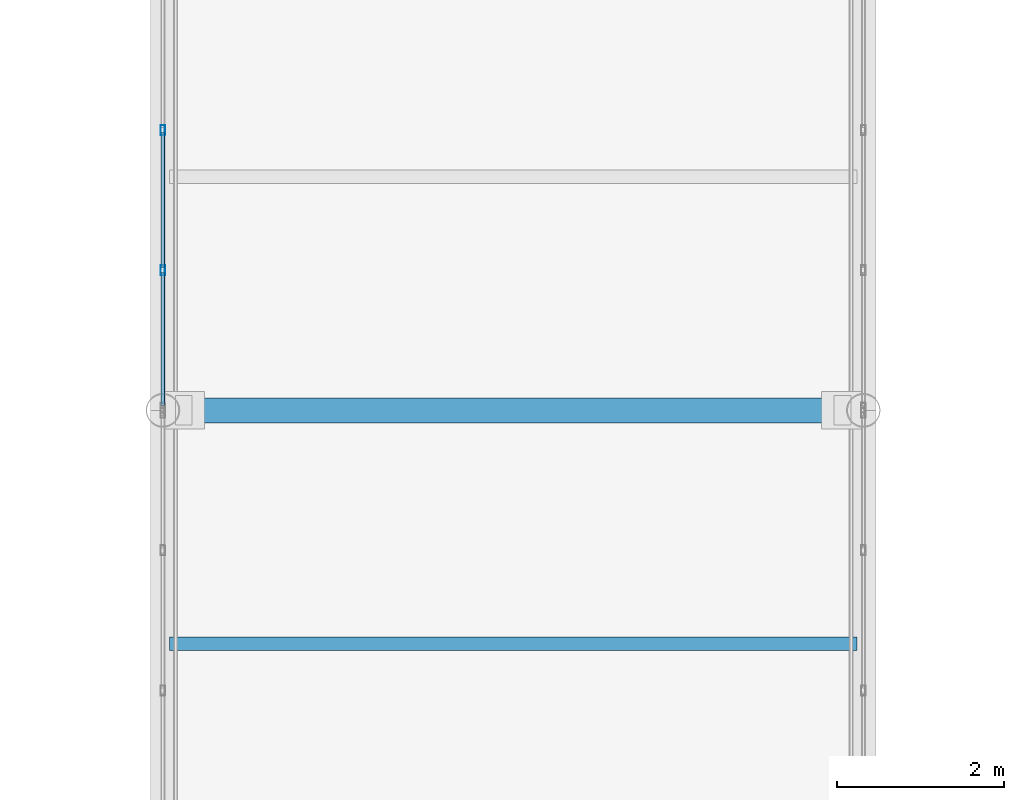
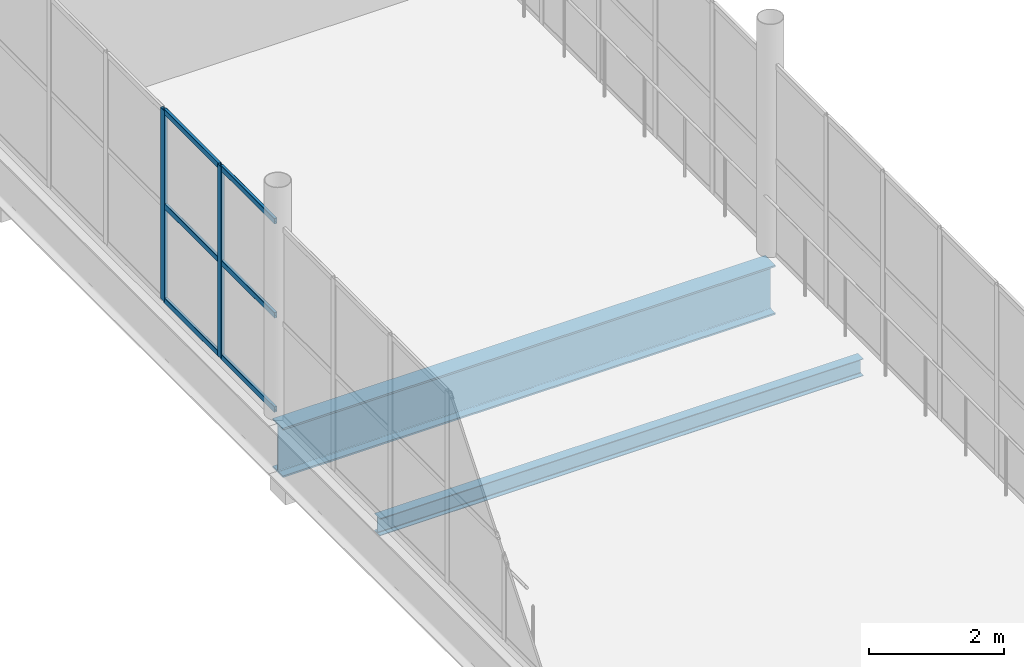
# One storey, part 55 of 163: 8 members, 2 beams, 1 element without a shape of its own.
"""IFC4 building model written with IfcOpenShell, lengths in metres."""

from ifc_helpers import new_model, si_unit, direction, frame, origin, origin_2d, place, context, subcontext, project, spatial, hollow_rectangle, i_section, extrude, material, layer, layer_set, material_profile, profile_set, type_object, element, aggregate, save


model = new_model("IFC4")

# Units and contexts
model_context = context("Model", 3, precision=1e-05, world=origin(), true_north=direction((0.0, 1.0)))
body_context = subcontext(model_context, "Body", "Model", "MODEL_VIEW")
ifc_project = project(units=[si_unit("LENGTHUNIT", "METRE"), si_unit("AREAUNIT", "SQUARE_METRE"), si_unit("VOLUMEUNIT", "CUBIC_METRE"), si_unit("PLANEANGLEUNIT", "RADIAN"), si_unit("MASSUNIT", "GRAM", prefix="KILO")], contexts=[model_context])

# Site, building, storey
site_placement = place(None, origin())
site = spatial("IfcSite", under=ifc_project, at=site_placement, CompositionType="ELEMENT")
building_placement = place(site_placement, origin())
building = spatial("IfcBuilding", under=site, at=building_placement, Name="Qalvenar Corner Mobility Hub", CompositionType="ELEMENT")
storey_placement = place(building_placement, frame((0.0, 0.0, 4.800048828125)))
storey = spatial("IfcBuildingStorey", under=building, at=storey_placement, Name="L01", CompositionType="ELEMENT", Elevation=4.800048828125)

# Beams
ifc_material_1 = material(Name="Steel S355", Category="steel")
ifc_material_profile_1 = material_profile(ifc_material_1, i_section(OverallWidth=0.300048828125, OverallDepth=0.889892578125, WebThickness=0.01611328125, FlangeThickness=0.030029296875, FilletRadius=0.027099609375, at=origin_2d()), Name="HEA900")
ifc_profile_set_1 = profile_set([ifc_material_profile_1], Name="Steel S355")
beam_type_1 = type_object("IfcBeamType", Name="BM-BRG900", PredefinedType="BEAM", material=ifc_profile_set_1)
beam_1_placement = place(storey_placement, frame((50.39990234375, 58.800048828125, -0.635009765625), z_axis=(1.0, 0.0, 0.0), x_axis=(0.0, 1.0, 0.0)))
element("IfcBeam", 1, at=beam_1_placement, inside=storey, type_object=beam_type_1, Name="Court Link Bridge Girder BRG-1524", PredefinedType="BEAM", context=body_context, shape_type="SweptSolid", body=[
    extrude(i_section(OverallWidth=0.300048828125, OverallDepth=0.889892578125, WebThickness=0.01611328125, FlangeThickness=0.030029296875, FilletRadius=0.027099609375, at=origin_2d()), origin(), (0.0, 0.0, 1.0), 8.400146484375),
])
ifc_material_profile_2 = material_profile(ifc_material_1, i_section(OverallWidth=0.1650390625, OverallDepth=0.31005859375, WebThickness=0.005859375, FlangeThickness=0.009765625, FilletRadius=0.011962890625, at=origin_2d()), Name="W310x38.7")
ifc_profile_set_2 = profile_set([ifc_material_profile_2], Name="Steel S355")
beam_type_2 = type_object("IfcBeamType", Name="BM-JST310", PredefinedType="JOIST", material=ifc_profile_set_2)
beam_2_placement = place(storey_placement, frame((50.47802734375, 56.0, -0.344970703125), z_axis=(1.0, 0.0, 0.0), x_axis=(0.0, 1.0, 0.0)))
element("IfcBeam", 2, at=beam_2_placement, inside=storey, type_object=beam_type_2, Name="Composite Floor Joist J-1538", PredefinedType="JOIST", context=body_context, shape_type="SweptSolid", body=[
    extrude(i_section(OverallWidth=0.1650390625, OverallDepth=0.31005859375, WebThickness=0.005859375, FlangeThickness=0.009765625, FilletRadius=0.011962890625, at=origin_2d()), origin(), (0.0, 0.0, 1.0), 8.243896484375),
])

# Curtain wall, members
ifc_material_2 = material(Name="Anodised Aluminium and Low-E Glazing", Category="aluminium")
ifc_layer = layer(ifc_material_2, 0.1201171875)
ifc_layer_set = layer_set([ifc_layer], Name="Anodised Aluminium and Low-E Glazing")
curtain_wall_type = type_object("IfcCurtainWallType", Name="CW-BRG-84X28", PredefinedType="NOTDEFINED", material=ifc_layer_set)
curtain_wall_placement = place(storey_placement, origin())
curtain_wall = element("IfcCurtainWall", 3, at=curtain_wall_placement, inside=storey, type_object=curtain_wall_type, Name="Glazed Curtain Wall CW-BRG-L01-W3", PredefinedType="NOTDEFINED")
ifc_material_3 = material(Name="Anodised Aluminium 6063-T6", Category="aluminium")
ifc_material_profile_3 = material_profile(ifc_material_3, hollow_rectangle(XDim=0.054931640625, YDim=0.1201171875, WallThickness=0.00341796875, InnerFilletRadius=0.00341796875, OuterFilletRadius=0.007080078125, at=origin_2d()), Name="RHS120x55x3.5")
ifc_profile_set_3 = profile_set([ifc_material_profile_3], Name="Anodised Aluminium 6063-T6")
member_type_1 = type_object("IfcMemberType", Name="CW-MUL120", PredefinedType="MULLION", material=ifc_profile_set_3)
member_1_placement = place(storey_placement, frame((50.39990234375, 62.159912109375, 0.0), z_axis=(0.0, 0.0, 1.0), x_axis=(1.0, 0.0, 0.0)))
member_1 = element("IfcMember", 4, at=member_1_placement, type_object=member_type_1, Name="CW-11 mullion 4", PredefinedType="MULLION", context=body_context, shape_type="SweptSolid", body=[
    extrude(hollow_rectangle(XDim=0.054931640625, YDim=0.1201171875, WallThickness=0.00341796875, InnerFilletRadius=0.00341796875, OuterFilletRadius=0.007080078125, at=origin_2d()), origin(), (0.0, 0.0, 1.0), 3.449951171875),
])
member_2_placement = place(storey_placement, frame((50.39990234375, 60.47998046875, 0.0), z_axis=(0.0, 0.0, 1.0), x_axis=(1.0, 0.0, 0.0)))
member_2 = element("IfcMember", 5, at=member_2_placement, type_object=member_type_1, Name="CW-11 mullion 5", PredefinedType="MULLION", context=body_context, shape_type="SweptSolid", body=[
    extrude(hollow_rectangle(XDim=0.054931640625, YDim=0.1201171875, WallThickness=0.00341796875, InnerFilletRadius=0.00341796875, OuterFilletRadius=0.007080078125, at=origin_2d()), origin(), (0.0, 0.0, 1.0), 3.449951171875),
])
ifc_material_profile_4 = material_profile(ifc_material_3, hollow_rectangle(XDim=0.050048828125, YDim=0.10009765625, WallThickness=0.0029296875, InnerFilletRadius=0.0029296875, OuterFilletRadius=0.006103515625, at=origin_2d()), Name="RHS100x50x3")
ifc_profile_set_4 = profile_set([ifc_material_profile_4], Name="Anodised Aluminium 6063-T6")
member_type_2 = type_object("IfcMemberType", Name="CW-TRN100", PredefinedType="USERDEFINED", material=ifc_profile_set_4)
member_3_placement = place(storey_placement, frame((50.39990234375, 62.1298828125, 0.02734375), z_axis=(0.0, -1.0, 0.0), x_axis=(1.0, 0.0, 0.0)))
member_3 = element("IfcMember", 6, at=member_3_placement, type_object=member_type_2, Name="CW-11 transom 4.1", ObjectType="TRANSOM", PredefinedType="USERDEFINED", context=body_context, shape_type="SweptSolid", body=[
    extrude(hollow_rectangle(XDim=0.050048828125, YDim=0.10009765625, WallThickness=0.0029296875, InnerFilletRadius=0.0029296875, OuterFilletRadius=0.006103515625, at=origin_2d()), origin(), (0.0, 0.0, 1.0), 1.619873046875),
])
member_4_placement = place(storey_placement, frame((50.39990234375, 62.1298828125, 1.724853515625), z_axis=(0.0, -1.0, 0.0), x_axis=(1.0, 0.0, 0.0)))
member_4 = element("IfcMember", 7, at=member_4_placement, type_object=member_type_2, Name="CW-11 transom 4.2", ObjectType="TRANSOM", PredefinedType="USERDEFINED", context=body_context, shape_type="SweptSolid", body=[
    extrude(hollow_rectangle(XDim=0.050048828125, YDim=0.10009765625, WallThickness=0.0029296875, InnerFilletRadius=0.0029296875, OuterFilletRadius=0.006103515625, at=origin_2d()), origin(), (0.0, 0.0, 1.0), 1.619873046875),
])
member_5_placement = place(storey_placement, frame((50.39990234375, 62.1298828125, 3.42236328125), z_axis=(0.0, -1.0, 0.0), x_axis=(1.0, 0.0, 0.0)))
member_5 = element("IfcMember", 8, at=member_5_placement, type_object=member_type_2, Name="CW-11 transom 4.3", ObjectType="TRANSOM", PredefinedType="USERDEFINED", context=body_context, shape_type="SweptSolid", body=[
    extrude(hollow_rectangle(XDim=0.050048828125, YDim=0.10009765625, WallThickness=0.0029296875, InnerFilletRadius=0.0029296875, OuterFilletRadius=0.006103515625, at=origin_2d()), origin(), (0.0, 0.0, 1.0), 1.619873046875),
])
member_6_placement = place(storey_placement, frame((50.39990234375, 60.449951171875, 0.02734375), z_axis=(0.0, -1.0, 0.0), x_axis=(1.0, 0.0, 0.0)))
member_6 = element("IfcMember", 9, at=member_6_placement, type_object=member_type_2, Name="CW-11 transom 5.1", ObjectType="TRANSOM", PredefinedType="USERDEFINED", context=body_context, shape_type="SweptSolid", body=[
    extrude(hollow_rectangle(XDim=0.050048828125, YDim=0.10009765625, WallThickness=0.0029296875, InnerFilletRadius=0.0029296875, OuterFilletRadius=0.006103515625, at=origin_2d()), origin(), (0.0, 0.0, 1.0), 1.58984375),
])
member_7_placement = place(storey_placement, frame((50.39990234375, 60.449951171875, 1.724853515625), z_axis=(0.0, -1.0, 0.0), x_axis=(1.0, 0.0, 0.0)))
member_7 = element("IfcMember", 10, at=member_7_placement, type_object=member_type_2, Name="CW-11 transom 5.2", ObjectType="TRANSOM", PredefinedType="USERDEFINED", context=body_context, shape_type="SweptSolid", body=[
    extrude(hollow_rectangle(XDim=0.050048828125, YDim=0.10009765625, WallThickness=0.0029296875, InnerFilletRadius=0.0029296875, OuterFilletRadius=0.006103515625, at=origin_2d()), origin(), (0.0, 0.0, 1.0), 1.58984375),
])
member_8_placement = place(storey_placement, frame((50.39990234375, 60.449951171875, 3.42236328125), z_axis=(0.0, -1.0, 0.0), x_axis=(1.0, 0.0, 0.0)))
member_8 = element("IfcMember", 11, at=member_8_placement, type_object=member_type_2, Name="CW-11 transom 5.3", ObjectType="TRANSOM", PredefinedType="USERDEFINED", context=body_context, shape_type="SweptSolid", body=[
    extrude(hollow_rectangle(XDim=0.050048828125, YDim=0.10009765625, WallThickness=0.0029296875, InnerFilletRadius=0.0029296875, OuterFilletRadius=0.006103515625, at=origin_2d()), origin(), (0.0, 0.0, 1.0), 1.58984375),
])
aggregate(curtain_wall, [member_1, member_2, member_3, member_4, member_5, member_6, member_7, member_8])

save(model, "model.ifc")
